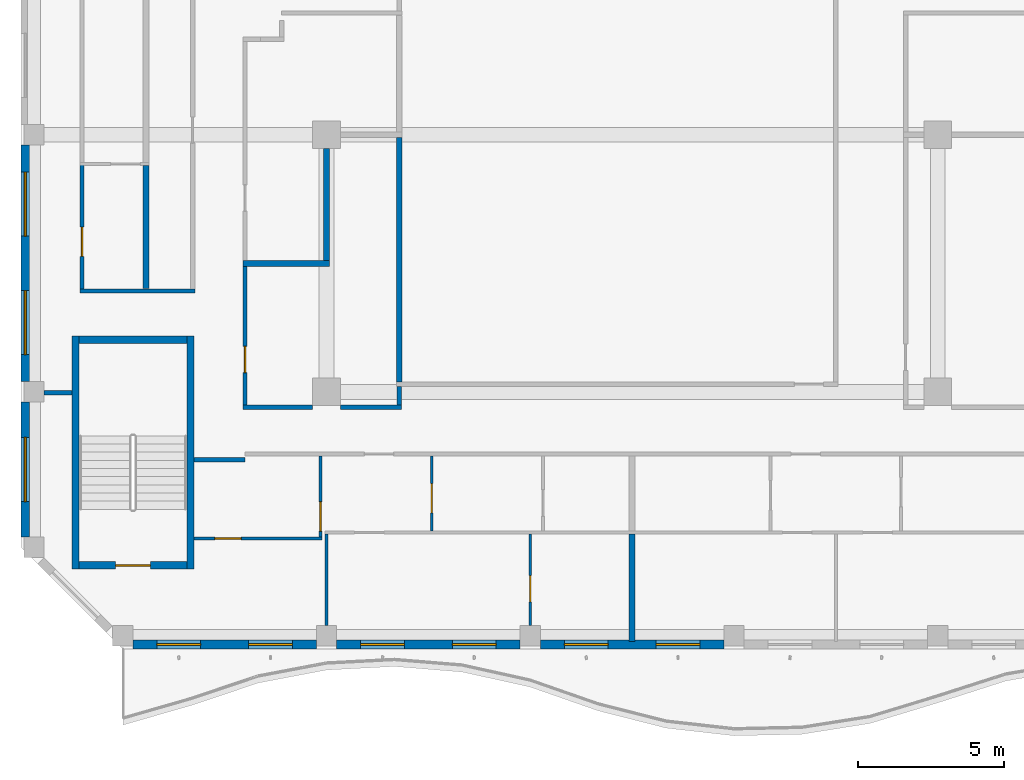
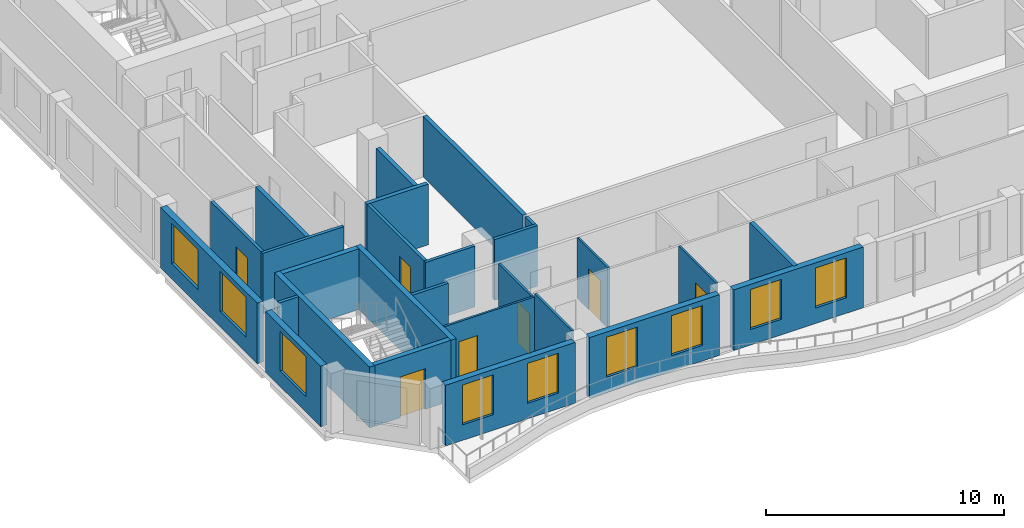
# One storey, part 2 of 18: 27 walls, 9 windows, 7 doors, 16 openings.
"""IFC4 building model written with IfcOpenShell, lengths in metres."""

from ifc_helpers import new_model, si_unit, direction, frame, frame_2d, origin, place, context, subcontext, project, spatial, rectangle, extrude, source, transform, mapped, material, layer, layer_set, type_object, element, fill, save


model = new_model("IFC4")

# Units and contexts
model_context = context("Model", 3, precision=1e-05, world=origin(), true_north=direction((0.0, 1.0)))
body_context = subcontext(model_context, "Body", "Model", "MODEL_VIEW")
ifc_project = project(units=[si_unit("LENGTHUNIT", "METRE"), si_unit("AREAUNIT", "SQUARE_METRE"), si_unit("VOLUMEUNIT", "CUBIC_METRE"), si_unit("PLANEANGLEUNIT", "RADIAN"), si_unit("MASSUNIT", "GRAM", prefix="KILO")], contexts=[model_context])

# Site, building, storey
site_placement = place(None, origin())
site = spatial("IfcSite", under=ifc_project, at=site_placement, CompositionType="ELEMENT")
building_placement = place(site_placement, origin())
building = spatial("IfcBuilding", under=site, at=building_placement, Name="Kilnfold Tower and Market Hall", CompositionType="ELEMENT")
storey_placement = place(building_placement, frame((0.0, 0.0, 256.0)))
storey = spatial("IfcBuildingStorey", under=building, at=storey_placement, Name="L62", CompositionType="ELEMENT", Elevation=256.0)

# Wall, opening, door
ifc_material_1 = material(Name="Gypsum board on steel studs", Category="steel")
ifc_layer_1 = layer(ifc_material_1, 0.14990234375)
ifc_layer_set_1 = layer_set([ifc_layer_1], Name="Gypsum board on steel studs")
wall_type_1 = type_object("IfcWallType", Name="WALL CORRIDOR 150", PredefinedType="PARTITIONING", material=ifc_layer_set_1)
wall_1_placement = place(storey_placement, frame((-17.39990234375, -6.125, 0.0), z_axis=(0.0, 0.0, 1.0), x_axis=(0.0, 1.0, 0.0)))
wall_1 = element("IfcWall", 1, at=wall_1_placement, inside=storey, type_object=wall_type_1, Name="Partition LY38.1", PredefinedType="PARTITIONING", context=body_context, shape_type="SweptSolid", body=[
    extrude(rectangle(XDim=4.25390625, YDim=0.14990234375, at=frame_2d((2.126953125, 0.0))), origin(), (0.0, 0.0, 1.0), 3.1201171875),
])
opening_1_placement = place(wall_1_placement, frame((1.116943359375, 0.0, 0.0)))
opening_1 = element("IfcOpeningElement", 2, at=opening_1_placement, cuts=wall_1, Name="Opening D1", PredefinedType="OPENING", context=body_context, shape_type="SweptSolid", body=[
    extrude(rectangle(XDim=1.0, YDim=2.10009765625, at=frame_2d((0.5, 1.050048828125))), frame((0.0, 0.0849609375, 0.0), z_axis=(0.0, -1.0, 0.0), x_axis=(1.0, 0.0, 0.0)), (0.0, 0.0, 1.0), 0.169921875),
])
ifc_material_2 = material(Name="Timber veneer door leaf in steel frame", Category="steel")
door_type_1 = type_object("IfcDoorType", Name="DOOR ENTRY 1000 X2100", OperationType="NOTDEFINED", PredefinedType="DOOR", material=ifc_material_2)
door_1_placement = place(opening_1_placement, origin())
door_1 = element("IfcDoor", 3, at=door_1_placement, inside=storey, type_object=door_type_1, Name="Door D1", OperationType="SINGLE_SWING_RIGHT", OverallHeight=2.10009765625, OverallWidth=1.0, PredefinedType="DOOR", context=body_context, shape_type="SweptSolid", body=[
    extrude(rectangle(XDim=1.0, YDim=2.10009765625, at=frame_2d((0.5, 1.050048828125))), frame((0.0, 0.02490234375, 0.0), z_axis=(0.0, -1.0, 0.0), x_axis=(1.0, 0.0, 0.0)), (0.0, 0.0, 1.0), 0.050048828125),
])
fill(opening_1, door_1)

# Walls
wall_2_placement = place(storey_placement, frame((-17.47509765625, -6.199951171875, 0.0), z_axis=(0.0, 0.0, 1.0), x_axis=(1.0, 0.0, 0.0)))
element("IfcWall", 4, at=wall_2_placement, inside=storey, type_object=wall_type_1, Name="Partition LY38.2", PredefinedType="PARTITIONING", context=body_context, shape_type="SweptSolid", body=[
    extrude(rectangle(XDim=3.9501953125, YDim=0.14990234375, at=frame_2d((1.97509765625, 0.0))), origin(), (0.0, 0.0, 1.0), 3.1201171875),
])
wall_3_placement = place(storey_placement, frame((-13.550048828125, -12.0, 0.0), z_axis=(0.0, 0.0, 1.0), x_axis=(1.0, 0.0, 0.0)))
element("IfcWall", 5, at=wall_3_placement, inside=storey, type_object=wall_type_1, Name="Partition LY38.10", PredefinedType="PARTITIONING", context=body_context, shape_type="SweptSolid", body=[
    extrude(rectangle(XDim=1.75, YDim=0.14990234375, at=frame_2d((0.875, 0.0))), origin(), (0.0, 0.0, 1.0), 3.1201171875),
])
wall_4_placement = place(storey_placement, frame((-18.699951171875, -9.699951171875, 0.0), z_axis=(0.0, 0.0, 1.0), x_axis=(1.0, 0.0, 0.0)))
element("IfcWall", 6, at=wall_4_placement, inside=storey, type_object=wall_type_1, Name="Partition LY38.11", PredefinedType="PARTITIONING", context=body_context, shape_type="SweptSolid", body=[
    extrude(rectangle(XDim=0.949951171875, YDim=0.14990234375, at=frame_2d((0.47509765625, 0.0))), origin(), (0.0, 0.0, 1.0), 3.1201171875),
])

# Wall, opening, door
wall_5_placement = place(storey_placement, frame((-11.800048828125, -10.125, 0.0), z_axis=(0.0, 0.0, 1.0), x_axis=(0.0, 1.0, 0.0)))
wall_5 = element("IfcWall", 7, at=wall_5_placement, inside=storey, type_object=wall_type_1, Name="Partition LY38.36", PredefinedType="PARTITIONING", context=body_context, shape_type="SweptSolid", body=[
    extrude(rectangle(XDim=4.784912109375, YDim=0.14990234375, at=frame_2d((2.392578125, 0.0))), origin(), (0.0, 0.0, 1.0), 3.1201171875),
])
opening_2_placement = place(wall_5_placement, frame((1.123046875, 0.0, 0.0)))
opening_2 = element("IfcOpeningElement", 8, at=opening_2_placement, cuts=wall_5, Name="Opening D2", PredefinedType="OPENING", context=body_context, shape_type="SweptSolid", body=[
    extrude(rectangle(XDim=0.89990234375, YDim=2.10009765625, at=frame_2d((0.449951171875, 1.050048828125))), frame((0.0, 0.0849609375, 0.0), z_axis=(0.0, -1.0, 0.0), x_axis=(1.0, 0.0, 0.0)), (0.0, 0.0, 1.0), 0.169921875),
])
ifc_material_3 = material(Name="Timber veneer door leaf in steel frame", Category="steel")
door_type_2 = type_object("IfcDoorType", Name="DOOR ROOM 900 X2100", OperationType="NOTDEFINED", PredefinedType="DOOR", material=ifc_material_3)
door_2_placement = place(opening_2_placement, origin())
door_2 = element("IfcDoor", 9, at=door_2_placement, inside=storey, type_object=door_type_2, Name="Door D2", OperationType="SINGLE_SWING_RIGHT", OverallHeight=2.10009765625, OverallWidth=0.89990234375, PredefinedType="DOOR", context=body_context, shape_type="SweptSolid", body=[
    extrude(rectangle(XDim=0.89990234375, YDim=2.10009765625, at=frame_2d((0.449951171875, 1.050048828125))), frame((0.0, 0.02490234375, 0.0), z_axis=(0.0, -1.0, 0.0), x_axis=(1.0, 0.0, 0.0)), (0.0, 0.0, 1.0), 0.050048828125),
])
fill(opening_2, door_2)

# Walls
wall_6_placement = place(storey_placement, frame((-8.52490234375, -10.199951171875, 0.0), z_axis=(0.0, 0.0, 1.0), x_axis=(1.0, 0.0, 0.0)))
element("IfcWall", 10, at=wall_6_placement, inside=storey, type_object=wall_type_1, Name="Partition LY38.37", PredefinedType="PARTITIONING", context=body_context, shape_type="SweptSolid", body=[
    extrude(rectangle(XDim=2.099853515625, YDim=0.14990234375, at=frame_2d((1.0498046875, 0.0))), origin(), (0.0, 0.0, 1.0), 3.1201171875),
])
wall_7_placement = place(storey_placement, frame((-11.875, -10.199951171875, 0.0), z_axis=(0.0, 0.0, 1.0), x_axis=(1.0, 0.0, 0.0)))
element("IfcWall", 11, at=wall_7_placement, inside=storey, type_object=wall_type_1, Name="Partition LY38.38", PredefinedType="PARTITIONING", context=body_context, shape_type="SweptSolid", body=[
    extrude(rectangle(XDim=2.39990234375, YDim=0.14990234375, at=frame_2d((1.199951171875, 0.0))), origin(), (0.0, 0.0, 1.0), 3.1201171875),
])
wall_8_placement = place(storey_placement, frame((-6.5, -10.125, 0.0), z_axis=(0.0, 0.0, 1.0), x_axis=(0.0, 1.0, 0.0)))
element("IfcWall", 12, at=wall_8_placement, inside=storey, type_object=wall_type_1, Name="Partition LY38.39", PredefinedType="PARTITIONING", context=body_context, shape_type="SweptSolid", body=[
    extrude(rectangle(XDim=0.64990234375, YDim=0.14990234375, at=frame_2d((0.324951171875, 0.0))), origin(), (0.0, 0.0, 1.0), 3.1201171875),
])

# Wall, opening, door
ifc_material_4 = material(Name="Gypsum board on steel studs", Category="steel")
ifc_layer_2 = layer(ifc_material_4, 0.10009765625)
ifc_layer_set_2 = layer_set([ifc_layer_2], Name="Gypsum board on steel studs")
wall_type_2 = type_object("IfcWallType", Name="WALL PARTITION 100", PredefinedType="PARTITIONING", material=ifc_layer_set_2)
wall_9_placement = place(storey_placement, frame((-9.2099609375, -14.64990234375, 0.0), z_axis=(0.0, 0.0, 1.0), x_axis=(0.0, 1.0, 0.0)))
wall_9 = element("IfcWall", 13, at=wall_9_placement, inside=storey, type_object=wall_type_2, Name="Partition LY38.60", PredefinedType="PARTITIONING", context=body_context, shape_type="SweptSolid", body=[
    extrude(rectangle(XDim=2.77294921875, YDim=0.10009765625, at=frame_2d((1.386474609375, 0.0))), origin(), (0.0, 0.0, 1.0), 3.1201171875),
])
opening_3_placement = place(wall_9_placement, frame((0.199951171875, 0.0, 0.0)))
opening_3 = element("IfcOpeningElement", 14, at=opening_3_placement, cuts=wall_9, Name="Opening D1", PredefinedType="OPENING", context=body_context, shape_type="SweptSolid", body=[
    extrude(rectangle(XDim=1.0, YDim=2.10009765625, at=frame_2d((0.5, 1.050048828125))), frame((0.0, 0.06005859375, 0.0), z_axis=(0.0, -1.0, 0.0), x_axis=(1.0, 0.0, 0.0)), (0.0, 0.0, 1.0), 0.1201171875),
])
door_3_placement = place(opening_3_placement, origin())
door_3 = element("IfcDoor", 15, at=door_3_placement, inside=storey, type_object=door_type_1, Name="Door D1", OperationType="SINGLE_SWING_RIGHT", OverallHeight=2.10009765625, OverallWidth=1.0, PredefinedType="DOOR", context=body_context, shape_type="SweptSolid", body=[
    extrude(rectangle(XDim=1.0, YDim=2.10009765625, at=frame_2d((0.5, 1.050048828125))), frame((0.0, 0.02490234375, 0.0), z_axis=(0.0, -1.0, 0.0), x_axis=(1.0, 0.0, 0.0)), (0.0, 0.0, 1.0), 0.050048828125),
])
fill(opening_3, door_3)

wall_10_placement = place(storey_placement, frame((-13.550048828125, -14.699951171875, 0.0), z_axis=(0.0, 0.0, 1.0), x_axis=(1.0, 0.0, 0.0)))
wall_10 = element("IfcWall", 16, at=wall_10_placement, inside=storey, type_object=wall_type_2, Name="Partition LY38.61", PredefinedType="PARTITIONING", context=body_context, shape_type="SweptSolid", body=[
    extrude(rectangle(XDim=4.39013671875, YDim=0.10009765625, at=frame_2d((2.195068359375, 0.0))), origin(), (0.0, 0.0, 1.0), 3.1201171875),
])
opening_4_placement = place(wall_10_placement, frame((0.715087890625, 0.0, 0.0)))
opening_4 = element("IfcOpeningElement", 17, at=opening_4_placement, cuts=wall_10, Name="Opening D2", PredefinedType="OPENING", context=body_context, shape_type="SweptSolid", body=[
    extrude(rectangle(XDim=0.89990234375, YDim=2.10009765625, at=frame_2d((0.449951171875, 1.050048828125))), frame((0.0, 0.06005859375, 0.0), z_axis=(0.0, -1.0, 0.0), x_axis=(1.0, 0.0, 0.0)), (0.0, 0.0, 1.0), 0.1201171875),
])
door_4_placement = place(opening_4_placement, origin())
door_4 = element("IfcDoor", 18, at=door_4_placement, inside=storey, type_object=door_type_2, Name="Door D2", OperationType="SINGLE_SWING_RIGHT", OverallHeight=2.10009765625, OverallWidth=0.89990234375, PredefinedType="DOOR", context=body_context, shape_type="SweptSolid", body=[
    extrude(rectangle(XDim=0.89990234375, YDim=2.10009765625, at=frame_2d((0.449951171875, 1.050048828125))), frame((0.0, 0.02490234375, 0.0), z_axis=(0.0, -1.0, 0.0), x_axis=(1.0, 0.0, 0.0)), (0.0, 0.0, 1.0), 0.050048828125),
])
fill(opening_4, door_4)

wall_11_placement = place(storey_placement, frame((-5.385009765625, -14.449951171875, 0.0), z_axis=(0.0, 0.0, 1.0), x_axis=(0.0, 1.0, 0.0)))
wall_11 = element("IfcWall", 19, at=wall_11_placement, inside=storey, type_object=wall_type_2, Name="Partition LY38.62", PredefinedType="PARTITIONING", context=body_context, shape_type="SweptSolid", body=[
    extrude(rectangle(XDim=2.572998046875, YDim=0.10009765625, at=frame_2d((1.28662109375, 0.0))), origin(), (0.0, 0.0, 1.0), 3.1201171875),
])
opening_5_placement = place(wall_11_placement, frame((0.626953125, 0.0, 0.0)))
opening_5 = element("IfcOpeningElement", 20, at=opening_5_placement, cuts=wall_11, Name="Opening D1", PredefinedType="OPENING", context=body_context, shape_type="SweptSolid", body=[
    extrude(rectangle(XDim=1.0, YDim=2.10009765625, at=frame_2d((0.5, 1.050048828125))), frame((0.0, 0.06005859375, 0.0), z_axis=(0.0, -1.0, 0.0), x_axis=(1.0, 0.0, 0.0)), (0.0, 0.0, 1.0), 0.1201171875),
])
door_5_placement = place(opening_5_placement, origin())
door_5 = element("IfcDoor", 21, at=door_5_placement, inside=storey, type_object=door_type_1, Name="Door D1", OperationType="SINGLE_SWING_LEFT", OverallHeight=2.10009765625, OverallWidth=1.0, PredefinedType="DOOR", context=body_context, shape_type="SweptSolid", body=[
    extrude(rectangle(XDim=1.0, YDim=2.10009765625, at=frame_2d((0.5, 1.050048828125))), frame((0.0, 0.02490234375, 0.0), z_axis=(0.0, -1.0, 0.0), x_axis=(1.0, 0.0, 0.0)), (0.0, 0.0, 1.0), 0.050048828125),
])
fill(opening_5, door_5)

# Wall
wall_12_placement = place(storey_placement, frame((-9.0, -17.699951171875, 0.0), z_axis=(0.0, 0.0, 1.0), x_axis=(0.0, 1.0, 0.0)))
element("IfcWall", 22, at=wall_12_placement, inside=storey, type_object=wall_type_2, Name="Partition LY38.66", PredefinedType="PARTITIONING", context=body_context, shape_type="SweptSolid", body=[
    extrude(rectangle(XDim=3.14794921875, YDim=0.10009765625, at=frame_2d((1.573974609375, 0.0))), origin(), (0.0, 0.0, 1.0), 3.1201171875),
])

# Wall, opening, door
wall_13_placement = place(storey_placement, frame((-2.0, -17.699951171875, 0.0), z_axis=(0.0, 0.0, 1.0), x_axis=(0.0, 1.0, 0.0)))
wall_13 = element("IfcWall", 23, at=wall_13_placement, inside=storey, type_object=wall_type_2, Name="Partition LY38.67", PredefinedType="PARTITIONING", context=body_context, shape_type="SweptSolid", body=[
    extrude(rectangle(XDim=3.14794921875, YDim=0.10009765625, at=frame_2d((1.573974609375, 0.0))), origin(), (0.0, 0.0, 1.0), 3.1201171875),
])
opening_6_placement = place(wall_13_placement, frame((0.81591796875, 0.0, 0.0)))
opening_6 = element("IfcOpeningElement", 24, at=opening_6_placement, cuts=wall_13, Name="Opening D2", PredefinedType="OPENING", context=body_context, shape_type="SweptSolid", body=[
    extrude(rectangle(XDim=0.89990234375, YDim=2.10009765625, at=frame_2d((0.449951171875, 1.050048828125))), frame((0.0, 0.06005859375, 0.0), z_axis=(0.0, -1.0, 0.0), x_axis=(1.0, 0.0, 0.0)), (0.0, 0.0, 1.0), 0.1201171875),
])
door_6_placement = place(opening_6_placement, origin())
door_6 = element("IfcDoor", 25, at=door_6_placement, inside=storey, type_object=door_type_2, Name="Door D2", OperationType="SINGLE_SWING_LEFT", OverallHeight=2.10009765625, OverallWidth=0.89990234375, PredefinedType="DOOR", context=body_context, shape_type="SweptSolid", body=[
    extrude(rectangle(XDim=0.89990234375, YDim=2.10009765625, at=frame_2d((0.449951171875, 1.050048828125))), frame((0.0, 0.02490234375, 0.0), z_axis=(0.0, -1.0, 0.0), x_axis=(1.0, 0.0, 0.0)), (0.0, 0.0, 1.0), 0.050048828125),
])
fill(opening_6, door_6)

# Walls
ifc_material_5 = material(Name="Gypsum board on steel studs", Category="steel")
ifc_layer_3 = layer(ifc_material_5, 0.199951171875)
ifc_layer_set_3 = layer_set([ifc_layer_3], Name="Gypsum board on steel studs")
wall_type_3 = type_object("IfcWallType", Name="WALL PARTY 200", PredefinedType="PARTITIONING", material=ifc_layer_set_3)
wall_14_placement = place(storey_placement, frame((-15.199951171875, -6.123046875, 0.0), z_axis=(0.0, 0.0, 1.0), x_axis=(0.0, 1.0, 0.0)))
element("IfcWall", 26, at=wall_14_placement, inside=storey, type_object=wall_type_3, Name="Partition LY38.55", PredefinedType="PARTITIONING", context=body_context, shape_type="SweptSolid", body=[
    extrude(rectangle(XDim=4.241943359375, YDim=0.199951171875, at=frame_2d((2.12109375, 0.0))), origin(), (0.0, 0.0, 1.0), 3.1201171875),
])
wall_15_placement = place(storey_placement, frame((1.5, -18.25, 0.0), z_axis=(0.0, 0.0, 1.0), x_axis=(0.0, 1.0, 0.0)))
element("IfcWall", 27, at=wall_15_placement, inside=storey, type_object=wall_type_3, Name="Partition LY38.68", PredefinedType="PARTITIONING", context=body_context, shape_type="SweptSolid", body=[
    extrude(rectangle(XDim=3.697998046875, YDim=0.199951171875, at=frame_2d((1.84912109375, 0.0))), origin(), (0.0, 0.0, 1.0), 3.1201171875),
])
wall_16_placement = place(storey_placement, frame((-9.0, -5.14990234375, 0.0), z_axis=(0.0, 0.0, 1.0), x_axis=(0.0, 1.0, 0.0)))
element("IfcWall", 28, at=wall_16_placement, inside=storey, type_object=wall_type_3, Name="Partition LY38.105", PredefinedType="PARTITIONING", context=body_context, shape_type="SweptSolid", body=[
    extrude(rectangle(XDim=3.841796875, YDim=0.199951171875, at=frame_2d((1.9208984375, 0.0))), origin(), (0.0, 0.0, 1.0), 2.570068359375),
])
wall_17_placement = place(storey_placement, frame((-11.873046875, -5.25, 0.0), z_axis=(0.0, 0.0, 1.0), x_axis=(1.0, 0.0, 0.0)))
element("IfcWall", 29, at=wall_17_placement, inside=storey, type_object=wall_type_3, Name="Partition LY38.106", PredefinedType="PARTITIONING", context=body_context, shape_type="SweptSolid", body=[
    extrude(rectangle(XDim=2.97314453125, YDim=0.199951171875, at=frame_2d((1.486572265625, 0.0))), origin(), (0.0, 0.0, 1.0), 3.1201171875),
])
wall_18_placement = place(storey_placement, frame((-6.5, -9.322998046875, 0.0), z_axis=(0.0, 0.0, 1.0), x_axis=(0.0, 1.0, 0.0)))
element("IfcWall", 30, at=wall_18_placement, inside=storey, type_object=wall_type_3, Name="Partition LY38.108", PredefinedType="PARTITIONING", context=body_context, shape_type="SweptSolid", body=[
    extrude(rectangle(XDim=8.389892578125, YDim=0.199951171875, at=frame_2d((4.19482421875, 0.0))), origin(), (0.0, 0.0, 1.0), 3.1201171875),
])

# Wall, opening, door
ifc_material_6 = material(Name="Concrete C60", Category="concrete")
ifc_layer_4 = layer(ifc_material_6, 0.25)
ifc_layer_set_4 = layer_set([ifc_layer_4], Name="Concrete C60")
wall_type_4 = type_object("IfcWallType", Name="CORE WALL 250 C60", PredefinedType="SHEAR", material=ifc_layer_set_4)
shared_shape_1 = source(origin(), body_context, "Body", "SweptSolid", [
    extrude(rectangle(XDim=3.699951171875, YDim=0.25, at=frame_2d((1.85009765625, 0.0))), origin(), (0.0, 0.0, 1.0), 3.1201171875),
])
wall_19_placement = place(storey_placement, frame((-17.5, -15.625, 0.0), z_axis=(0.0, 0.0, 1.0), x_axis=(1.0, 0.0, 0.0)))
wall_19 = element("IfcWall", 31, at=wall_19_placement, inside=storey, type_object=wall_type_4, Name="Stair enclosure ST3", PredefinedType="SHEAR", context=body_context, shape_type="MappedRepresentation", body=[
    mapped(shared_shape_1, transform((0.0, 0.0, 0.0))),
])
opening_7_placement = place(wall_19_placement, frame((1.25, 0.0, 0.0)))
opening_7 = element("IfcOpeningElement", 32, at=opening_7_placement, cuts=wall_19, Name="Opening SD1", PredefinedType="OPENING", context=body_context, shape_type="SweptSolid", body=[
    extrude(rectangle(XDim=1.199951171875, YDim=2.10009765625, at=frame_2d((0.60009765625, 1.050048828125))), frame((0.0, 0.135009765625, 0.0), z_axis=(0.0, -1.0, 0.0), x_axis=(1.0, 0.0, 0.0)), (0.0, 0.0, 1.0), 0.27001953125),
])
ifc_material_7 = material(Name="Steel door set with fire-resisting leaf", Category="steel")
door_type_3 = type_object("IfcDoorType", Name="STAIR FLOOR DOOR 1200X2100", OperationType="NOTDEFINED", PredefinedType="DOOR", material=ifc_material_7)
door_7_placement = place(opening_7_placement, origin())
door_7 = element("IfcDoor", 33, at=door_7_placement, inside=storey, type_object=door_type_3, Name="Exit stair ST3 door", OperationType="DOUBLE_DOOR_SINGLE_SWING", OverallHeight=2.10009765625, OverallWidth=1.199951171875, PredefinedType="DOOR", context=body_context, shape_type="SweptSolid", body=[
    extrude(rectangle(XDim=1.199951171875, YDim=2.10009765625, at=frame_2d((0.60009765625, 1.050048828125))), frame((0.0, 0.02490234375, 0.0), z_axis=(0.0, -1.0, 0.0), x_axis=(1.0, 0.0, 0.0)), (0.0, 0.0, 1.0), 0.050048828125),
])
fill(opening_7, door_7)

# Walls
wall_20_placement = place(storey_placement, frame((-17.5, -7.875, 0.0), z_axis=(0.0, 0.0, 1.0), x_axis=(1.0, 0.0, 0.0)))
element("IfcWall", 34, at=wall_20_placement, inside=storey, type_object=wall_type_4, Name="Stair enclosure ST3", PredefinedType="SHEAR", context=body_context, shape_type="MappedRepresentation", body=[
    mapped(shared_shape_1, transform((0.0, 0.0, 0.0))),
])
shared_shape_2 = source(origin(), body_context, "Body", "SweptSolid", [
    extrude(rectangle(XDim=8.0, YDim=0.25, at=frame_2d((4.0, 0.0))), origin(), (0.0, 0.0, 1.0), 3.1201171875),
])
for number, where, z_axis, x_axis, name in (
    (35, (-17.625, -15.75, 0.0), (0.0, 0.0, 1.0), (0.0, 1.0, 0.0), "Stair enclosure ST3"),
    (36, (-13.675048828125, -15.75, 0.0), (0.0, 0.0, 1.0), (0.0, 1.0, 0.0), "Stair enclosure ST3"),
):
    element("IfcWall", number, at=place(storey_placement, frame(where, z_axis=z_axis, x_axis=x_axis)), inside=storey, type_object=wall_type_4, Name=name, PredefinedType="SHEAR", context=body_context, shape_type="MappedRepresentation", body=[
        mapped(shared_shape_2, transform((0.0, 0.0, 0.0))),
    ])

# Wall, openings, windows
ifc_material_8 = material(Name="Precast concrete C50/60", Category="concrete")
ifc_layer_5 = layer(ifc_material_8, 0.300048828125)
ifc_layer_set_5 = layer_set([ifc_layer_5], Name="Precast concrete C50/60")
wall_type_5 = type_object("IfcWallType", Name="PRECAST WALL 300", PredefinedType="SOLIDWALL", material=ifc_layer_set_5)
shared_shape_3 = source(origin(), body_context, "Body", "SweptSolid", [
    extrude(rectangle(XDim=6.2998046875, YDim=0.300048828125, at=frame_2d((3.14990234375, 0.0))), origin(), (0.0, 0.0, 1.0), 3.1201171875),
])
wall_21_placement = place(storey_placement, frame((-15.64990234375, -18.35009765625, 0.0), z_axis=(0.0, 0.0, 1.0), x_axis=(1.0, 0.0, 0.0)))
wall_21 = element("IfcWall", 37, at=wall_21_placement, inside=storey, type_object=wall_type_5, Name="External wall L62 S", PredefinedType="SOLIDWALL", context=body_context, shape_type="MappedRepresentation", body=[
    mapped(shared_shape_3, transform((0.0, 0.0, 0.0))),
])
opening_8_placement = place(wall_21_placement, frame((0.824951171875, 0.0, 0.800048828125)))
opening_8 = element("IfcOpeningElement", 38, at=opening_8_placement, cuts=wall_21, Name="Opening W5", PredefinedType="OPENING", context=body_context, shape_type="SweptSolid", body=[
    extrude(rectangle(XDim=1.5, YDim=2.050048828125, at=frame_2d((0.75, 1.02490234375))), frame((0.0, 0.16015625, 0.0), z_axis=(0.0, -1.0, 0.0), x_axis=(1.0, 0.0, 0.0)), (0.0, 0.0, 1.0), 0.320068359375),
])
opening_9_placement = place(wall_21_placement, frame((3.97509765625, 0.0, 0.800048828125)))
opening_9 = element("IfcOpeningElement", 39, at=opening_9_placement, cuts=wall_21, Name="Opening W5", PredefinedType="OPENING", context=body_context, shape_type="SweptSolid", body=[
    extrude(rectangle(XDim=1.5, YDim=2.050048828125, at=frame_2d((0.75, 1.02490234375))), frame((0.0, 0.16015625, 0.0), z_axis=(0.0, -1.0, 0.0), x_axis=(1.0, 0.0, 0.0)), (0.0, 0.0, 1.0), 0.320068359375),
])
ifc_material_9 = material(Name="Aluminium frame and double glazing", Category="aluminium")
window_type_1 = type_object("IfcWindowType", Name="WINDOW W5 1500X2050", PartitioningType="SINGLE_PANEL", PredefinedType="WINDOW", material=ifc_material_9)
window_1_placement = place(opening_8_placement, origin())
window_1 = element("IfcWindow", 40, at=window_1_placement, inside=storey, type_object=window_type_1, Name="Window W5 L62 S-1", OverallHeight=2.050048828125, OverallWidth=1.5, PartitioningType="SINGLE_PANEL", PredefinedType="WINDOW", context=body_context, shape_type="SweptSolid", body=[
    extrude(rectangle(XDim=1.5, YDim=2.050048828125, at=frame_2d((0.75, 1.02490234375))), frame((0.0, 0.030029296875, 0.0), z_axis=(0.0, -1.0, 0.0), x_axis=(1.0, 0.0, 0.0)), (0.0, 0.0, 1.0), 0.06005859375),
])
fill(opening_8, window_1)
window_2_placement = place(opening_9_placement, origin())
window_2 = element("IfcWindow", 41, at=window_2_placement, inside=storey, type_object=window_type_1, Name="Window W5 L62 S-2", OverallHeight=2.050048828125, OverallWidth=1.5, PartitioningType="SINGLE_PANEL", PredefinedType="WINDOW", context=body_context, shape_type="SweptSolid", body=[
    extrude(rectangle(XDim=1.5, YDim=2.050048828125, at=frame_2d((0.75, 1.02490234375))), frame((0.0, 0.030029296875, 0.0), z_axis=(0.0, -1.0, 0.0), x_axis=(1.0, 0.0, 0.0)), (0.0, 0.0, 1.0), 0.06005859375),
])
fill(opening_9, window_2)

wall_22_placement = place(storey_placement, frame((-8.64990234375, -18.35009765625, 0.0), z_axis=(0.0, 0.0, 1.0), x_axis=(1.0, 0.0, 0.0)))
wall_22 = element("IfcWall", 42, at=wall_22_placement, inside=storey, type_object=wall_type_5, Name="External wall L62 S", PredefinedType="SOLIDWALL", context=body_context, shape_type="MappedRepresentation", body=[
    mapped(shared_shape_3, transform((0.0, 0.0, 0.0))),
])
opening_10_placement = place(wall_22_placement, frame((0.824951171875, 0.0, 0.800048828125)))
opening_10 = element("IfcOpeningElement", 43, at=opening_10_placement, cuts=wall_22, Name="Opening W5", PredefinedType="OPENING", context=body_context, shape_type="SweptSolid", body=[
    extrude(rectangle(XDim=1.5, YDim=2.050048828125, at=frame_2d((0.75, 1.02490234375))), frame((0.0, 0.16015625, 0.0), z_axis=(0.0, -1.0, 0.0), x_axis=(1.0, 0.0, 0.0)), (0.0, 0.0, 1.0), 0.320068359375),
])
opening_11_placement = place(wall_22_placement, frame((3.97509765625, 0.0, 0.800048828125)))
opening_11 = element("IfcOpeningElement", 44, at=opening_11_placement, cuts=wall_22, Name="Opening W5", PredefinedType="OPENING", context=body_context, shape_type="SweptSolid", body=[
    extrude(rectangle(XDim=1.5, YDim=2.050048828125, at=frame_2d((0.75, 1.02490234375))), frame((0.0, 0.16015625, 0.0), z_axis=(0.0, -1.0, 0.0), x_axis=(1.0, 0.0, 0.0)), (0.0, 0.0, 1.0), 0.320068359375),
])
window_3_placement = place(opening_10_placement, origin())
window_3 = element("IfcWindow", 45, at=window_3_placement, inside=storey, type_object=window_type_1, Name="Window W5 L62 S-1", OverallHeight=2.050048828125, OverallWidth=1.5, PartitioningType="SINGLE_PANEL", PredefinedType="WINDOW", context=body_context, shape_type="SweptSolid", body=[
    extrude(rectangle(XDim=1.5, YDim=2.050048828125, at=frame_2d((0.75, 1.02490234375))), frame((0.0, 0.030029296875, 0.0), z_axis=(0.0, -1.0, 0.0), x_axis=(1.0, 0.0, 0.0)), (0.0, 0.0, 1.0), 0.06005859375),
])
fill(opening_10, window_3)
window_4_placement = place(opening_11_placement, origin())
window_4 = element("IfcWindow", 46, at=window_4_placement, inside=storey, type_object=window_type_1, Name="Window W5 L62 S-2", OverallHeight=2.050048828125, OverallWidth=1.5, PartitioningType="SINGLE_PANEL", PredefinedType="WINDOW", context=body_context, shape_type="SweptSolid", body=[
    extrude(rectangle(XDim=1.5, YDim=2.050048828125, at=frame_2d((0.75, 1.02490234375))), frame((0.0, 0.030029296875, 0.0), z_axis=(0.0, -1.0, 0.0), x_axis=(1.0, 0.0, 0.0)), (0.0, 0.0, 1.0), 0.06005859375),
])
fill(opening_11, window_4)

wall_23_placement = place(storey_placement, frame((-1.64990234375, -18.35009765625, 0.0), z_axis=(0.0, 0.0, 1.0), x_axis=(1.0, 0.0, 0.0)))
wall_23 = element("IfcWall", 47, at=wall_23_placement, inside=storey, type_object=wall_type_5, Name="External wall L62 S", PredefinedType="SOLIDWALL", context=body_context, shape_type="MappedRepresentation", body=[
    mapped(shared_shape_3, transform((0.0, 0.0, 0.0))),
])
opening_12_placement = place(wall_23_placement, frame((0.824951171875, 0.0, 0.800048828125)))
opening_12 = element("IfcOpeningElement", 48, at=opening_12_placement, cuts=wall_23, Name="Opening W5", PredefinedType="OPENING", context=body_context, shape_type="SweptSolid", body=[
    extrude(rectangle(XDim=1.5, YDim=2.050048828125, at=frame_2d((0.75, 1.02490234375))), frame((0.0, 0.16015625, 0.0), z_axis=(0.0, -1.0, 0.0), x_axis=(1.0, 0.0, 0.0)), (0.0, 0.0, 1.0), 0.320068359375),
])
opening_13_placement = place(wall_23_placement, frame((3.97509765625, 0.0, 0.800048828125)))
opening_13 = element("IfcOpeningElement", 49, at=opening_13_placement, cuts=wall_23, Name="Opening W5", PredefinedType="OPENING", context=body_context, shape_type="SweptSolid", body=[
    extrude(rectangle(XDim=1.5, YDim=2.050048828125, at=frame_2d((0.75, 1.02490234375))), frame((0.0, 0.16015625, 0.0), z_axis=(0.0, -1.0, 0.0), x_axis=(1.0, 0.0, 0.0)), (0.0, 0.0, 1.0), 0.320068359375),
])
window_5_placement = place(opening_12_placement, origin())
window_5 = element("IfcWindow", 50, at=window_5_placement, inside=storey, type_object=window_type_1, Name="Window W5 L62 S-1", OverallHeight=2.050048828125, OverallWidth=1.5, PartitioningType="SINGLE_PANEL", PredefinedType="WINDOW", context=body_context, shape_type="SweptSolid", body=[
    extrude(rectangle(XDim=1.5, YDim=2.050048828125, at=frame_2d((0.75, 1.02490234375))), frame((0.0, 0.030029296875, 0.0), z_axis=(0.0, -1.0, 0.0), x_axis=(1.0, 0.0, 0.0)), (0.0, 0.0, 1.0), 0.06005859375),
])
fill(opening_12, window_5)
window_6_placement = place(opening_13_placement, origin())
window_6 = element("IfcWindow", 51, at=window_6_placement, inside=storey, type_object=window_type_1, Name="Window W5 L62 S-2", OverallHeight=2.050048828125, OverallWidth=1.5, PartitioningType="SINGLE_PANEL", PredefinedType="WINDOW", context=body_context, shape_type="SweptSolid", body=[
    extrude(rectangle(XDim=1.5, YDim=2.050048828125, at=frame_2d((0.75, 1.02490234375))), frame((0.0, 0.030029296875, 0.0), z_axis=(0.0, -1.0, 0.0), x_axis=(1.0, 0.0, 0.0)), (0.0, 0.0, 1.0), 0.06005859375),
])
fill(opening_13, window_6)

shared_shape_4 = source(origin(), body_context, "Body", "SweptSolid", [
    extrude(rectangle(XDim=8.13330078125, YDim=0.300048828125, at=frame_2d((4.066650390625, 0.0))), origin(), (0.0, 0.0, 1.0), 3.1201171875),
])
wall_24_placement = place(storey_placement, frame((-19.35009765625, -1.183349609375, 0.0), z_axis=(0.0, 0.0, 1.0), x_axis=(0.0, -1.0, 0.0)))
wall_24 = element("IfcWall", 52, at=wall_24_placement, inside=storey, type_object=wall_type_5, Name="External wall L62 W", PredefinedType="SOLIDWALL", context=body_context, shape_type="MappedRepresentation", body=[
    mapped(shared_shape_4, transform((0.0, 0.0, 0.0))),
])
opening_14_placement = place(wall_24_placement, frame((0.933349609375, 0.0, 0.800048828125)))
opening_14 = element("IfcOpeningElement", 53, at=opening_14_placement, cuts=wall_24, Name="Opening W3", PredefinedType="OPENING", context=body_context, shape_type="SweptSolid", body=[
    extrude(rectangle(XDim=2.199951171875, YDim=2.050048828125, at=frame_2d((1.10009765625, 1.02490234375))), frame((0.0, 0.16015625, 0.0), z_axis=(0.0, -1.0, 0.0), x_axis=(1.0, 0.0, 0.0)), (0.0, 0.0, 1.0), 0.320068359375),
])
opening_15_placement = place(wall_24_placement, frame((5.0, 0.0, 0.800048828125)))
opening_15 = element("IfcOpeningElement", 54, at=opening_15_placement, cuts=wall_24, Name="Opening W3", PredefinedType="OPENING", context=body_context, shape_type="SweptSolid", body=[
    extrude(rectangle(XDim=2.199951171875, YDim=2.050048828125, at=frame_2d((1.10009765625, 1.02490234375))), frame((0.0, 0.16015625, 0.0), z_axis=(0.0, -1.0, 0.0), x_axis=(1.0, 0.0, 0.0)), (0.0, 0.0, 1.0), 0.320068359375),
])
ifc_material_10 = material(Name="Aluminium frame and double glazing", Category="aluminium")
window_type_2 = type_object("IfcWindowType", Name="WINDOW W3 2200X2050", PartitioningType="SINGLE_PANEL", PredefinedType="WINDOW", material=ifc_material_10)
window_7_placement = place(opening_14_placement, origin())
window_7 = element("IfcWindow", 55, at=window_7_placement, inside=storey, type_object=window_type_2, Name="Window W3 L62 W-1", OverallHeight=2.050048828125, OverallWidth=2.199951171875, PartitioningType="SINGLE_PANEL", PredefinedType="WINDOW", context=body_context, shape_type="SweptSolid", body=[
    extrude(rectangle(XDim=2.199951171875, YDim=2.050048828125, at=frame_2d((1.10009765625, 1.02490234375))), frame((0.0, 0.030029296875, 0.0), z_axis=(0.0, -1.0, 0.0), x_axis=(1.0, 0.0, 0.0)), (0.0, 0.0, 1.0), 0.06005859375),
])
fill(opening_14, window_7)
window_8_placement = place(opening_15_placement, origin())
window_8 = element("IfcWindow", 56, at=window_8_placement, inside=storey, type_object=window_type_2, Name="Window W3 L62 W-2", OverallHeight=2.050048828125, OverallWidth=2.199951171875, PartitioningType="SINGLE_PANEL", PredefinedType="WINDOW", context=body_context, shape_type="SweptSolid", body=[
    extrude(rectangle(XDim=2.199951171875, YDim=2.050048828125, at=frame_2d((1.10009765625, 1.02490234375))), frame((0.0, 0.030029296875, 0.0), z_axis=(0.0, -1.0, 0.0), x_axis=(1.0, 0.0, 0.0)), (0.0, 0.0, 1.0), 0.06005859375),
])
fill(opening_15, window_8)

# Wall, opening, window
shared_shape_5 = source(origin(), body_context, "Body", "SweptSolid", [
    extrude(rectangle(XDim=4.63330078125, YDim=0.300048828125, at=frame_2d((2.316650390625, 0.0))), origin(), (0.0, 0.0, 1.0), 3.1201171875),
])
wall_25_placement = place(storey_placement, frame((-19.35009765625, -10.0166015625, 0.0), z_axis=(0.0, 0.0, 1.0), x_axis=(0.0, -1.0, 0.0)))
wall_25 = element("IfcWall", 57, at=wall_25_placement, inside=storey, type_object=wall_type_5, Name="External wall L62 W", PredefinedType="SOLIDWALL", context=body_context, shape_type="MappedRepresentation", body=[
    mapped(shared_shape_5, transform((0.0, 0.0, 0.0))),
])
opening_16_placement = place(wall_25_placement, frame((1.216552734375, 0.0, 0.800048828125)))
opening_16 = element("IfcOpeningElement", 58, at=opening_16_placement, cuts=wall_25, Name="Opening W3", PredefinedType="OPENING", context=body_context, shape_type="SweptSolid", body=[
    extrude(rectangle(XDim=2.199951171875, YDim=2.050048828125, at=frame_2d((1.10009765625, 1.02490234375))), frame((0.0, 0.16015625, 0.0), z_axis=(0.0, -1.0, 0.0), x_axis=(1.0, 0.0, 0.0)), (0.0, 0.0, 1.0), 0.320068359375),
])
window_9_placement = place(opening_16_placement, origin())
window_9 = element("IfcWindow", 59, at=window_9_placement, inside=storey, type_object=window_type_2, Name="Window W3 L62 W-1", OverallHeight=2.050048828125, OverallWidth=2.199951171875, PartitioningType="SINGLE_PANEL", PredefinedType="WINDOW", context=body_context, shape_type="SweptSolid", body=[
    extrude(rectangle(XDim=2.199951171875, YDim=2.050048828125, at=frame_2d((1.10009765625, 1.02490234375))), frame((0.0, 0.030029296875, 0.0), z_axis=(0.0, -1.0, 0.0), x_axis=(1.0, 0.0, 0.0)), (0.0, 0.0, 1.0), 0.06005859375),
])
fill(opening_16, window_9)

save(model, "model.ifc")
